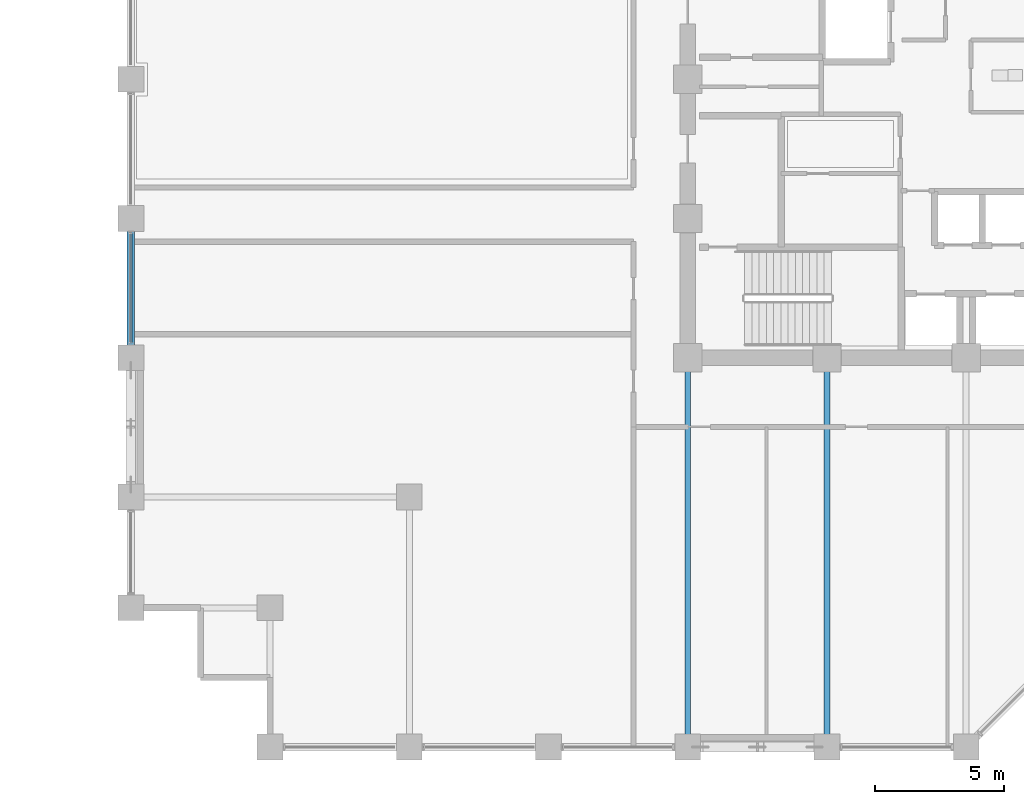
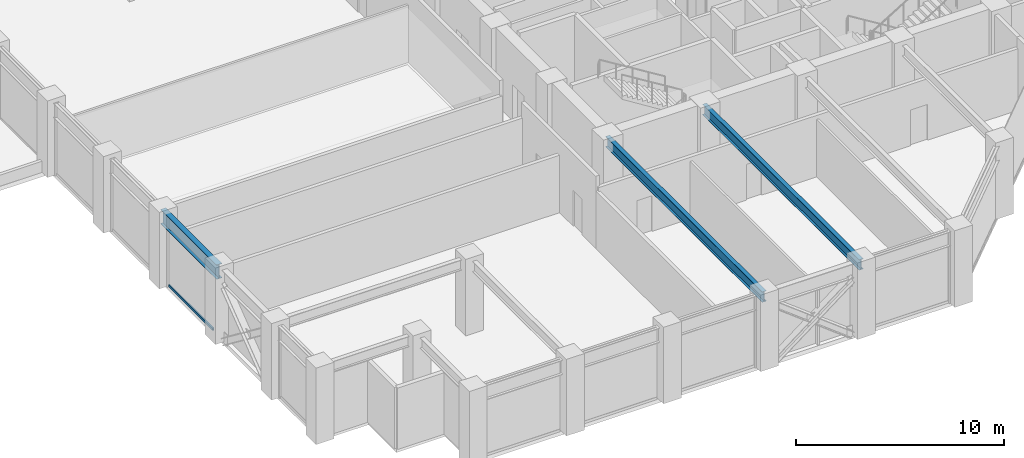
# One storey, part 4 of 25: 3 beams, 1 member, 1 element without a shape of its own.
"""IFC4 building model written with IfcOpenShell, lengths in metres."""

from ifc_helpers import new_model, si_unit, direction, frame, origin, origin_2d, place, context, subcontext, project, spatial, hollow_rectangle, i_section, extrude, material, layer, layer_set, material_profile, profile_set, type_object, element, aggregate, save


model = new_model("IFC4")

# Units and contexts
model_context = context("Model", 3, precision=1e-05, world=origin(), true_north=direction((0.0, 1.0)))
body_context = subcontext(model_context, "Body", "Model", "MODEL_VIEW")
ifc_project = project(units=[si_unit("LENGTHUNIT", "METRE"), si_unit("AREAUNIT", "SQUARE_METRE"), si_unit("VOLUMEUNIT", "CUBIC_METRE"), si_unit("PLANEANGLEUNIT", "RADIAN"), si_unit("MASSUNIT", "GRAM", prefix="KILO")], contexts=[model_context])

# Site, building, storey
site_placement = place(None, origin())
site = spatial("IfcSite", under=ifc_project, at=site_placement, CompositionType="ELEMENT")
building_placement = place(site_placement, origin())
building = spatial("IfcBuilding", under=site, at=building_placement, Name="Surkhivell Harbour Commons", CompositionType="ELEMENT")
storey_placement = place(building_placement, frame((0.0, 0.0, 162.0)))
storey = spatial("IfcBuildingStorey", under=building, at=storey_placement, Name="L42", CompositionType="ELEMENT", Elevation=162.0)

# Beams
ifc_material_1 = material(Name="Steel S355", Category="steel")
ifc_material_profile_1 = material_profile(ifc_material_1, i_section(OverallWidth=0.22998046875, OverallDepth=0.616943359375, WebThickness=0.01318359375, FlangeThickness=0.022216796875, at=origin_2d()), Name="UB610x229x140")
ifc_profile_set_1 = profile_set([ifc_material_profile_1], Name="Steel S355")
beam_type_1 = type_object("IfcBeamType", Name="BM-GRD-610B", PredefinedType="BEAM", material=ifc_profile_set_1)
for number, where, z_axis, x_axis, name in (
    (1, (-10.800048828125, -25.89990234375, 3.94140625), (0.0, 1.0, 0.0), (-1.0, 0.0, 0.0), "L42 Floor Girder (-10.8,-25.9)"),
    (2, (-5.39990234375, -25.89990234375, 3.94140625), (0.0, 1.0, 0.0), (-1.0, 0.0, 0.0), "L42 Floor Girder (-5.4,-25.9)"),
):
    element("IfcBeam", number, at=place(storey_placement, frame(where, z_axis=z_axis, x_axis=x_axis)), inside=storey, type_object=beam_type_1, Name=name, PredefinedType="BEAM", context=body_context, shape_type="SweptSolid", body=[
        extrude(i_section(OverallWidth=0.22998046875, OverallDepth=0.616943359375, WebThickness=0.01318359375, FlangeThickness=0.022216796875, at=origin_2d()), origin(), (0.0, 0.0, 1.0), 15.099853515625),
    ])
ifc_material_2 = material(Name="Steel S460", Category="steel")
ifc_material_profile_2 = material_profile(ifc_material_2, i_section(OverallWidth=0.2939453125, OverallDepth=0.85107421875, WebThickness=0.01611328125, FlangeThickness=0.02685546875, at=origin_2d()), Name="UB838x292x226")
ifc_profile_set_2 = profile_set([ifc_material_profile_2], Name="Steel S460")
beam_type_2 = type_object("IfcBeamType", Name="BM-SPN-838", PredefinedType="SPANDREL", material=ifc_profile_set_2)
beam_placement = place(storey_placement, frame((-32.39990234375, -10.800048828125, 3.824462890625), z_axis=(0.0, 1.0, 0.0), x_axis=(-1.0, 0.0, 0.0)))
element("IfcBeam", 3, at=beam_placement, inside=storey, type_object=beam_type_2, Name="L42 Tube Spandrel (-32.4,-10.8)", PredefinedType="SPANDREL", context=body_context, shape_type="SweptSolid", body=[
    extrude(i_section(OverallWidth=0.2939453125, OverallDepth=0.85107421875, WebThickness=0.01611328125, FlangeThickness=0.02685546875, at=origin_2d()), origin(), (0.0, 0.0, 1.0), 5.400146484375),
])

# Curtain wall, member
ifc_material_3 = material(Name="Anodised pale-metal aluminium and insulated glazing", Category="aluminium")
ifc_layer = layer(ifc_material_3, 0.205078125)
ifc_layer_set = layer_set([ifc_layer], Name="Anodised pale-metal aluminium and insulated glazing")
curtain_wall_type = type_object("IfcCurtainWallType", Name="CW-SYS-Z2", PredefinedType="NOTDEFINED", material=ifc_layer_set)
curtain_wall_placement = place(storey_placement, origin())
curtain_wall = element("IfcCurtainWall", 4, at=curtain_wall_placement, inside=storey, type_object=curtain_wall_type, Name="L42 Curtain Wall CW-L42-E12S1", PredefinedType="NOTDEFINED")
ifc_material_4 = material(Name="Anodised pale-metal aluminium alloy 6063-T6", Category="aluminium")
ifc_material_profile_3 = material_profile(ifc_material_4, hollow_rectangle(XDim=0.074951171875, YDim=0.14990234375, WallThickness=0.00341796875, at=origin_2d()), Name="ALU-TRAN-75x150")
ifc_profile_set_3 = profile_set([ifc_material_profile_3], Name="Anodised pale-metal aluminium alloy 6063-T6")
member_type = type_object("IfcMemberType", Name="CWT-150", PredefinedType="USERDEFINED", material=ifc_profile_set_3)
member_placement = place(storey_placement, frame((-32.39990234375, -5.97705078125, 0.074951171875), z_axis=(0.0, -1.0, 0.0), x_axis=(1.0, 0.0, 0.0)))
member = element("IfcMember", 5, at=member_placement, type_object=member_type, Name="CW-Z2 transom 6.1", ObjectType="TRANSOM", PredefinedType="USERDEFINED", context=body_context, shape_type="SweptSolid", body=[
    extrude(hollow_rectangle(XDim=0.074951171875, YDim=0.14990234375, WallThickness=0.00341796875, at=origin_2d()), origin(), (0.0, 0.0, 1.0), 4.245849609375),
])
aggregate(curtain_wall, [member])

save(model, "model.ifc")
